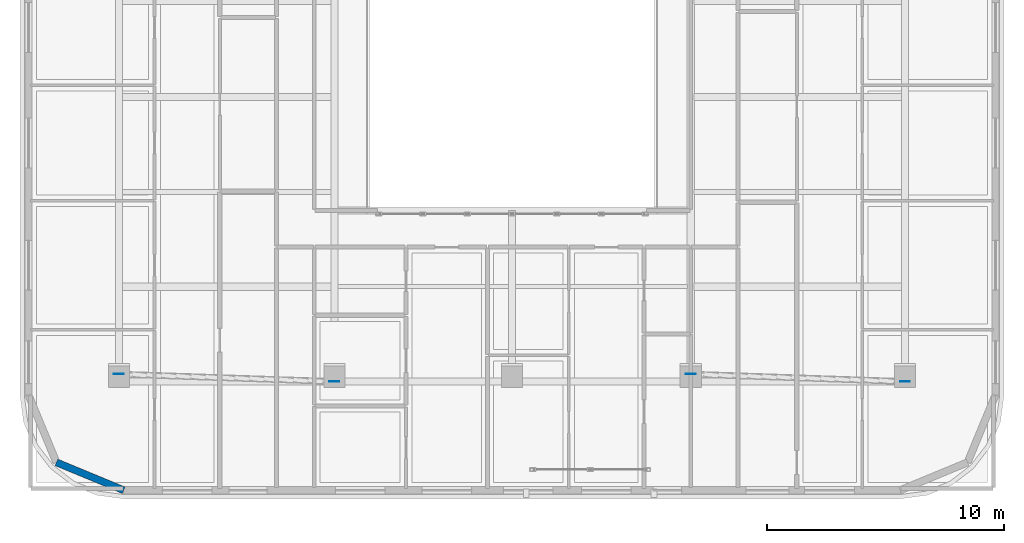
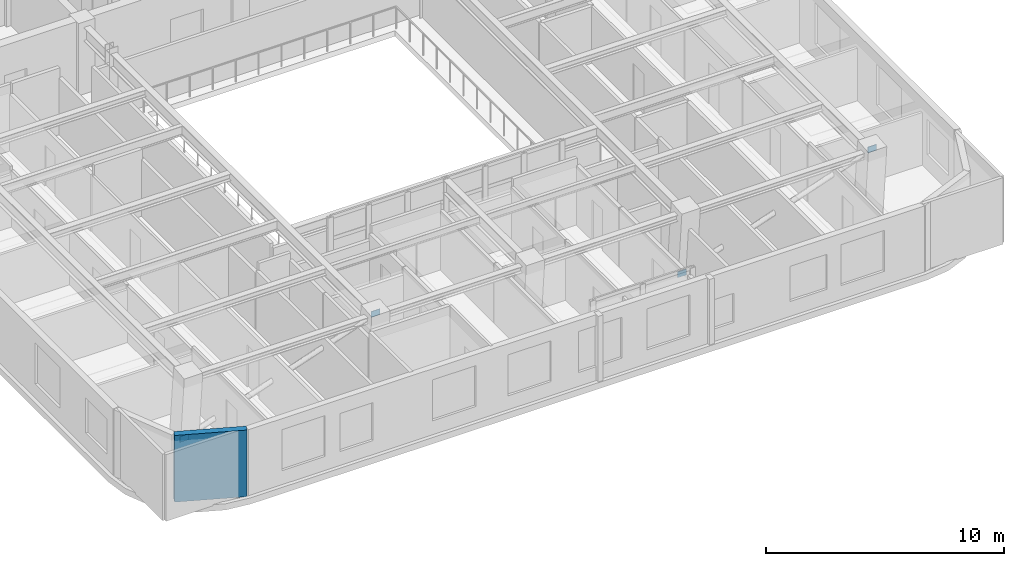
# One storey, part 6 of 14: 4 plates, 1 wall.
"""IFC4 building model written with IfcOpenShell, lengths in metres."""

from ifc_helpers import new_model, si_unit, direction, frame, frame_2d, origin, origin_2d, place, context, subcontext, project, spatial, rectangle, extrude, material, layer, layer_set, type_object, element, save


model = new_model("IFC4")

# Units and contexts
model_context = context("Model", 3, precision=1e-05, world=origin(), true_north=direction((0.0, 1.0)))
body_context = subcontext(model_context, "Body", "Model", "MODEL_VIEW")
ifc_project = project(units=[si_unit("LENGTHUNIT", "METRE"), si_unit("AREAUNIT", "SQUARE_METRE"), si_unit("VOLUMEUNIT", "CUBIC_METRE"), si_unit("PLANEANGLEUNIT", "RADIAN"), si_unit("MASSUNIT", "GRAM", prefix="KILO")], contexts=[model_context])

# Site, building, storey
site_placement = place(None, origin())
site = spatial("IfcSite", under=ifc_project, at=site_placement, CompositionType="ELEMENT")
building_placement = place(site_placement, origin())
building = spatial("IfcBuilding", under=site, at=building_placement, Name="Zarnavel Station Tower", CompositionType="ELEMENT")
storey_placement = place(building_placement, frame((0.0, 0.0, 251.0)))
storey = spatial("IfcBuildingStorey", under=building, at=storey_placement, Name="L68", CompositionType="ELEMENT", Elevation=251.0)

# Plates
ifc_material_1 = material(Name="Steel S460M", Category="steel")
ifc_layer_1 = layer(ifc_material_1, 0.02490234375)
ifc_layer_set_1 = layer_set([ifc_layer_1], Name="GP_GUSSET_25")
plate_type = type_object("IfcPlateType", Name="GP_GUSSET_25", PredefinedType="USERDEFINED", material=ifc_layer_set_1)
for number, where, z_axis, x_axis, name in (
    (1, (12.199951171875, 3.482421875, -0.14990234375), (0.0, 0.0, 1.0), (1.0, 0.0, 0.0), "L68 Exterior Diagonal Brace End Gusset 1-1"),
    (2, (21.300048828125, 3.17236328125, 3.27001953125), (0.0, 0.0, 1.0), (1.0, 0.0, 0.0), "L68 Exterior Diagonal Brace End Gusset 1-2"),
    (3, (36.35009765625, 3.482421875, -0.14990234375), (0.0, 0.0, 1.0), (1.0, 0.0, 0.0), "L68 Exterior Diagonal Brace End Gusset 2-1"),
    (4, (45.39990234375, 3.17236328125, 3.27001953125), (0.0, 0.0, 1.0), (1.0, 0.0, 0.0), "L68 Exterior Diagonal Brace End Gusset 2-2"),
):
    element("IfcPlate", number, at=place(storey_placement, frame(where, z_axis=z_axis, x_axis=x_axis)), inside=storey, type_object=plate_type, Name=name, ObjectType="GUSSET_PLATE", PredefinedType="USERDEFINED", context=body_context, shape_type="SweptSolid", body=[
        extrude(rectangle(XDim=0.419921875, YDim=0.02490234375, at=origin_2d()), origin(), (0.0, 0.0, 1.0), 0.300048828125),
    ])

# Wall
ifc_material_2 = material(Name="Precast concrete C45/55 (Dark Basalt Finish)", Category="masonry")
ifc_layer_2 = layer(ifc_material_2, 0.300048828125)
ifc_layer_set_2 = layer_set([ifc_layer_2], Name="EW_BASALT_300")
wall_type = type_object("IfcWallType", Name="EW_BASALT_300", PredefinedType="SOLIDWALL", material=ifc_layer_set_2)
wall_placement = place(storey_placement, frame((12.39990234375, -1.419921875, 0.0), z_axis=(0.0, 0.0, 1.0), x_axis=(-0.92389884758, 0.382636798336, 0.0)))
element("IfcWall", 5, at=wall_placement, inside=storey, type_object=wall_type, Name="L68 Exterior Basalt Masonry Frame Wall 11", PredefinedType="SOLIDWALL", context=body_context, shape_type="SweptSolid", body=[
    extrude(rectangle(XDim=3.07666015625, YDim=0.300048828125, at=frame_2d((1.538330078125, 0.0))), origin(), (0.0, 0.0, 1.0), 3.419921875),
])

save(model, "model.ifc")
